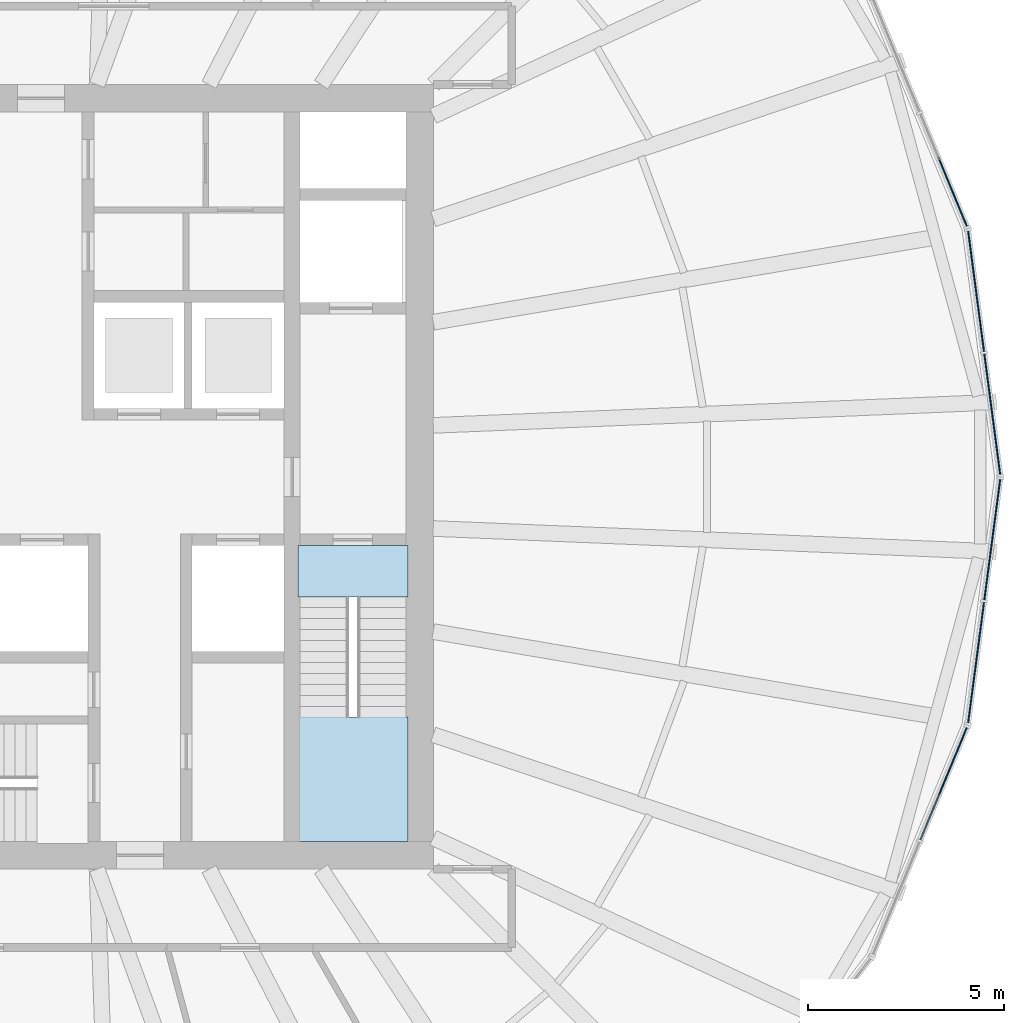
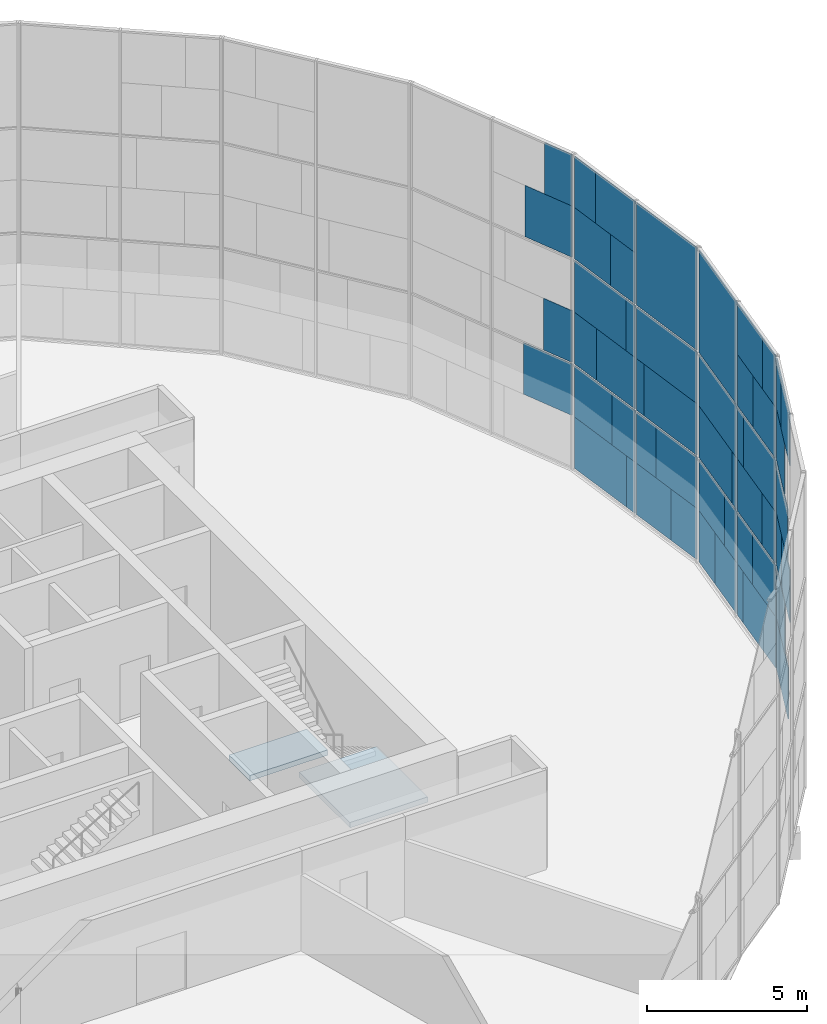
# One storey, part 14 of 22: 52 plates, 2 slabs, 5 elements without a shape of their own.
"""IFC4 building model written with IfcOpenShell, lengths in metres."""

from ifc_helpers import new_model, si_unit, direction, frame, origin, origin_2d, place, context, subcontext, project, spatial, polyline, rectangle, outline, extrude, material, layer, layer_set, type_object, element, aggregate, save


model = new_model("IFC4")

# Units and contexts
model_context = context("Model", 3, precision=1e-05, world=origin(), true_north=direction((0.0, 1.0)))
body_context = subcontext(model_context, "Body", "Model", "MODEL_VIEW")
ifc_project = project(units=[si_unit("LENGTHUNIT", "METRE"), si_unit("AREAUNIT", "SQUARE_METRE"), si_unit("VOLUMEUNIT", "CUBIC_METRE"), si_unit("PLANEANGLEUNIT", "RADIAN"), si_unit("MASSUNIT", "GRAM", prefix="KILO")], contexts=[model_context])

# Site, building, storey
site_placement = place(None, origin())
site = spatial("IfcSite", under=ifc_project, at=site_placement, CompositionType="ELEMENT")
building_placement = place(site_placement, origin())
building = spatial("IfcBuilding", under=site, at=building_placement, Name="Golbaran Civic Tower", CompositionType="ELEMENT")
storey_placement = place(building_placement, frame((0.0, 0.0, 90.0)))
storey = spatial("IfcBuildingStorey", under=building, at=storey_placement, Name="L21", CompositionType="ELEMENT", Elevation=90.0)

# Curtain wall, plates
ifc_material_1 = material(Name="Aluminium and glass", Category="aluminium")
curtain_wall_type = type_object("IfcCurtainWallType", Name="INNER SKIN CURTAIN WALL", PredefinedType="NOTDEFINED", material=ifc_material_1)
curtain_wall_1_placement = place(storey_placement, origin())
curtain_wall_1 = element("IfcCurtainWall", 1, at=curtain_wall_1_placement, inside=storey, type_object=curtain_wall_type, Name="Inner skin L21 facet 1 CW1", ObjectType="INNER SKIN", PredefinedType="USERDEFINED")
ifc_material_2 = material(Name="Clear insulating glass", Category="glass")
ifc_layer_1 = layer(ifc_material_2, 0.031982421875, Name="Clear insulating glass")
ifc_layer_set_1 = layer_set([ifc_layer_1], Name="Clear insulating glass")
plate_type_1 = type_object("IfcPlateType", Name="INNER SKIN CURTAIN WALL GLAZED PANEL", PredefinedType="CURTAIN_PANEL", material=ifc_layer_set_1)
plate_1_placement = place(storey_placement, frame((24.365966796875, 0.7216796875, 0.06494140625), z_axis=(0.0, 0.0, 1.0), x_axis=(-0.130526192203, 0.991444861376, 0.0)))
plate_1 = element("IfcPlate", 2, at=plate_1_placement, type_object=plate_type_1, Name="CW1 panel 1.1 part 1", PredefinedType="CURTAIN_PANEL", context=body_context, shape_type="SweptSolid", body=[
    extrude(rectangle(XDim=1.325927734375, YDim=0.031982421875, at=origin_2d()), origin(), (0.0, 0.0, 1.0), 1.951171875),
])
plate_2_placement = place(storey_placement, frame((24.31640625, 1.097412109375, 2.016357421875), z_axis=(0.0, 0.0, 1.0), x_axis=(-0.130526192203, 0.991444861376, 0.0)))
plate_2 = element("IfcPlate", 3, at=plate_2_placement, type_object=plate_type_1, Name="CW1 panel 1.1 part 3", PredefinedType="CURTAIN_PANEL", context=body_context, shape_type="SweptSolid", body=[
    extrude(rectangle(XDim=2.083984375, YDim=0.031982421875, at=origin_2d()), origin(), (0.0, 0.0, 1.0), 1.951171875),
])
plate_3_placement = place(storey_placement, frame((24.276611328125, 1.39990234375, 4.03271484375), z_axis=(0.0, 0.0, 1.0), x_axis=(-0.130526192203, 0.991444861376, 0.0)))
plate_3 = element("IfcPlate", 4, at=plate_3_placement, type_object=plate_type_1, Name="CW1 panel 1.2 part 1", PredefinedType="CURTAIN_PANEL", context=body_context, shape_type="SweptSolid", body=[
    extrude(rectangle(XDim=2.694091796875, YDim=0.031982421875, at=origin_2d()), origin(), (0.0, 0.0, 1.0), 1.967529296875),
])
plate_4_placement = place(storey_placement, frame((24.25048828125, 1.598876953125, 6.0), z_axis=(0.0, 0.0, 1.0), x_axis=(-0.130526192203, 0.991444861376, 0.0)))
plate_4 = element("IfcPlate", 5, at=plate_4_placement, type_object=plate_type_1, Name="CW1 panel 1.2 part 3", PredefinedType="CURTAIN_PANEL", context=body_context, shape_type="SweptSolid", body=[
    extrude(rectangle(XDim=3.09521484375, YDim=0.031982421875, at=origin_2d()), origin(), (0.0, 0.0, 1.0), 1.967529296875),
])
plate_5_placement = place(storey_placement, frame((24.25048828125, 1.598876953125, 8.0322265625), z_axis=(0.0, 0.0, 1.0), x_axis=(-0.130526192203, 0.991444861376, 0.0)))
plate_5 = element("IfcPlate", 6, at=plate_5_placement, type_object=plate_type_1, Name="CW1 panel 1.3", PredefinedType="CURTAIN_PANEL", context=body_context, shape_type="SweptSolid", body=[
    extrude(rectangle(XDim=3.09521484375, YDim=0.031982421875, at=origin_2d()), origin(), (0.0, 0.0, 1.0), 3.902587890625),
])
plate_6_placement = place(storey_placement, frame((23.809814453125, 4.9462890625, 0.06494140625), z_axis=(0.0, 0.0, 1.0), x_axis=(-0.130526192203, 0.991444861376, 0.0)))
plate_6 = element("IfcPlate", 7, at=plate_6_placement, type_object=plate_type_1, Name="CW1 panel 2.1 part 2", PredefinedType="CURTAIN_PANEL", context=body_context, shape_type="SweptSolid", body=[
    extrude(rectangle(XDim=2.663330078125, YDim=0.031982421875, at=origin_2d()), origin(), (0.0, 0.0, 1.0), 1.951171875),
])
plate_7_placement = place(storey_placement, frame((23.76025390625, 5.322021484375, 2.016357421875), z_axis=(0.0, 0.0, 1.0), x_axis=(-0.130526192203, 0.991444861376, 0.0)))
plate_7 = element("IfcPlate", 8, at=plate_7_placement, type_object=plate_type_1, Name="CW1 panel 2.1 part 4", PredefinedType="CURTAIN_PANEL", context=body_context, shape_type="SweptSolid", body=[
    extrude(rectangle(XDim=1.9052734375, YDim=0.031982421875, at=origin_2d()), origin(), (0.0, 0.0, 1.0), 1.951171875),
])
plate_8_placement = place(storey_placement, frame((23.708740234375, 5.713623046875, 4.03271484375), z_axis=(0.0, 0.0, 1.0), x_axis=(-0.130526192203, 0.991444861376, 0.0)))
plate_8 = element("IfcPlate", 9, at=plate_8_placement, type_object=plate_type_1, Name="CW1 panel 2.2 part 2", PredefinedType="CURTAIN_PANEL", context=body_context, shape_type="SweptSolid", body=[
    extrude(rectangle(XDim=1.115234375, YDim=0.031982421875, at=origin_2d()), origin(), (0.0, 0.0, 1.0), 1.967529296875),
])
plate_9_placement = place(storey_placement, frame((24.00927734375, 3.43115234375, 6.0), z_axis=(0.0, 0.0, 1.0), x_axis=(-0.130526192203, 0.991444861376, 0.0)))
plate_9 = element("IfcPlate", 10, at=plate_9_placement, type_object=plate_type_1, Name="CW1 panel 2.2 part 3", PredefinedType="CURTAIN_PANEL", context=body_context, shape_type="SweptSolid", body=[
    extrude(rectangle(XDim=0.470947265625, YDim=0.031982421875, at=origin_2d()), origin(), (0.0, 0.0, 1.0), 1.967529296875),
])
plate_10_placement = place(storey_placement, frame((23.957763671875, 3.82275390625, 8.032470703125), z_axis=(0.0, 0.0, 1.0), x_axis=(-0.130526192203, 0.991444861376, 0.0)))
plate_10 = element("IfcPlate", 11, at=plate_10_placement, type_object=plate_type_1, Name="CW1 panel 2.3 part 1", PredefinedType="CURTAIN_PANEL", context=body_context, shape_type="SweptSolid", body=[
    extrude(rectangle(XDim=1.260986328125, YDim=0.031982421875, at=origin_2d()), origin(), (0.0, 0.0, 1.0), 1.951171875),
])
plate_11_placement = place(storey_placement, frame((23.908203125, 4.198974609375, 9.98388671875), z_axis=(0.0, 0.0, 1.0), x_axis=(-0.130526192203, 0.991444861376, 0.0)))
plate_11 = element("IfcPlate", 12, at=plate_11_placement, type_object=plate_type_1, Name="CW1 panel 2.3 part 3", PredefinedType="CURTAIN_PANEL", context=body_context, shape_type="SweptSolid", body=[
    extrude(rectangle(XDim=2.02001953125, YDim=0.031982421875, at=origin_2d()), origin(), (0.0, 0.0, 1.0), 1.951171875),
])

curtain_wall_2_placement = place(storey_placement, origin())
curtain_wall_2 = element("IfcCurtainWall", 13, at=curtain_wall_2_placement, inside=storey, type_object=curtain_wall_type, Name="Inner skin L21 facet 2 CW1", ObjectType="INNER SKIN", PredefinedType="USERDEFINED")
plate_12_placement = place(storey_placement, frame((23.238037109375, 7.27099609375, 2.016357421875), z_axis=(0.0, 0.0, 1.0), x_axis=(-0.382683432365, 0.923879532511, 0.0)))
plate_12 = element("IfcPlate", 14, at=plate_12_placement, type_object=plate_type_1, Name="CW1 panel 1.1 part 3", PredefinedType="CURTAIN_PANEL", context=body_context, shape_type="SweptSolid", body=[
    extrude(rectangle(XDim=1.905029296875, YDim=0.031982421875, at=origin_2d()), origin(), (0.0, 0.0, 1.0), 1.951171875),
])
plate_13_placement = place(storey_placement, frame((23.38916015625, 6.906494140625, 4.03271484375), z_axis=(0.0, 0.0, 1.0), x_axis=(-0.382683432365, 0.923879532511, 0.0)))
plate_13 = element("IfcPlate", 15, at=plate_13_placement, type_object=plate_type_1, Name="CW1 panel 1.2 part 1", PredefinedType="CURTAIN_PANEL", context=body_context, shape_type="SweptSolid", body=[
    extrude(rectangle(XDim=1.115966796875, YDim=0.031982421875, at=origin_2d()), origin(), (0.0, 0.0, 1.0), 1.967529296875),
])

curtain_wall_3_placement = place(storey_placement, origin())
curtain_wall_3 = element("IfcCurtainWall", 16, at=curtain_wall_3_placement, inside=storey, type_object=curtain_wall_type, Name="Inner skin L21 facet 23 CW1", ObjectType="INNER SKIN", PredefinedType="USERDEFINED")
plate_14_placement = place(storey_placement, frame((23.093017578125, -7.621337890625, 0.06494140625), z_axis=(0.0, 0.0, 1.0), x_axis=(0.382683432365, 0.923879532511, 0.0)))
plate_14 = element("IfcPlate", 17, at=plate_14_placement, type_object=plate_type_1, Name="CW1 panel 2.1 part 2", PredefinedType="CURTAIN_PANEL", context=body_context, shape_type="SweptSolid", body=[
    extrude(rectangle(XDim=2.663330078125, YDim=0.031982421875, at=origin_2d()), origin(), (0.0, 0.0, 1.0), 1.951171875),
])
plate_15_placement = place(storey_placement, frame((23.238037109375, -7.271240234375, 2.016357421875), z_axis=(0.0, 0.0, 1.0), x_axis=(0.382683432365, 0.923879532511, 0.0)))
plate_15 = element("IfcPlate", 18, at=plate_15_placement, type_object=plate_type_1, Name="CW1 panel 2.1 part 4", PredefinedType="CURTAIN_PANEL", context=body_context, shape_type="SweptSolid", body=[
    extrude(rectangle(XDim=1.9052734375, YDim=0.031982421875, at=origin_2d()), origin(), (0.0, 0.0, 1.0), 1.951171875),
])
plate_16_placement = place(storey_placement, frame((23.38916015625, -6.90625, 4.03271484375), z_axis=(0.0, 0.0, 1.0), x_axis=(0.382683432365, 0.923879532511, 0.0)))
plate_16 = element("IfcPlate", 19, at=plate_16_placement, type_object=plate_type_1, Name="CW1 panel 2.2 part 2", PredefinedType="CURTAIN_PANEL", context=body_context, shape_type="SweptSolid", body=[
    extrude(rectangle(XDim=1.115234375, YDim=0.031982421875, at=origin_2d()), origin(), (0.0, 0.0, 1.0), 1.967529296875),
])
plate_17_placement = place(storey_placement, frame((22.8046875, -8.317626953125, 9.98388671875), z_axis=(0.0, 0.0, 1.0), x_axis=(0.382683432365, 0.923879532511, 0.0)))
plate_17 = element("IfcPlate", 20, at=plate_17_placement, type_object=plate_type_1, Name="CW1 panel 2.3 part 3", PredefinedType="CURTAIN_PANEL", context=body_context, shape_type="SweptSolid", body=[
    extrude(rectangle(XDim=2.02001953125, YDim=0.031982421875, at=origin_2d()), origin(), (0.0, 0.0, 1.0), 1.951171875),
])

curtain_wall_4_placement = place(storey_placement, origin())
curtain_wall_4 = element("IfcCurtainWall", 21, at=curtain_wall_4_placement, inside=storey, type_object=curtain_wall_type, Name="Inner skin L21 facet 24 CW1", ObjectType="INNER SKIN", PredefinedType="USERDEFINED")
plate_18_placement = place(storey_placement, frame((23.809814453125, -4.946533203125, 0.06494140625), z_axis=(0.0, 0.0, 1.0), x_axis=(0.130526192203, 0.991444861376, 0.0)))
plate_18 = element("IfcPlate", 22, at=plate_18_placement, type_object=plate_type_1, Name="CW1 panel 1.1 part 1", PredefinedType="CURTAIN_PANEL", context=body_context, shape_type="SweptSolid", body=[
    extrude(rectangle(XDim=2.6630859375, YDim=0.031982421875, at=origin_2d()), origin(), (0.0, 0.0, 1.0), 1.951171875),
])
plate_19_placement = place(storey_placement, frame((23.76025390625, -5.322265625, 2.016357421875), z_axis=(0.0, 0.0, 1.0), x_axis=(0.130526192203, 0.991444861376, 0.0)))
plate_19 = element("IfcPlate", 23, at=plate_19_placement, type_object=plate_type_1, Name="CW1 panel 1.1 part 3", PredefinedType="CURTAIN_PANEL", context=body_context, shape_type="SweptSolid", body=[
    extrude(rectangle(XDim=1.905029296875, YDim=0.031982421875, at=origin_2d()), origin(), (0.0, 0.0, 1.0), 1.951171875),
])
plate_20_placement = place(storey_placement, frame((23.708740234375, -5.71337890625, 4.03271484375), z_axis=(0.0, 0.0, 1.0), x_axis=(0.130526192203, 0.991444861376, 0.0)))
plate_20 = element("IfcPlate", 24, at=plate_20_placement, type_object=plate_type_1, Name="CW1 panel 1.2 part 1", PredefinedType="CURTAIN_PANEL", context=body_context, shape_type="SweptSolid", body=[
    extrude(rectangle(XDim=1.115966796875, YDim=0.031982421875, at=origin_2d()), origin(), (0.0, 0.0, 1.0), 1.967529296875),
])
plate_21_placement = place(storey_placement, frame((24.00927734375, -3.431396484375, 6.0), z_axis=(0.0, 0.0, 1.0), x_axis=(0.130526192203, 0.991444861376, 0.0)))
plate_21 = element("IfcPlate", 25, at=plate_21_placement, type_object=plate_type_1, Name="CW1 panel 1.2 part 4", PredefinedType="CURTAIN_PANEL", context=body_context, shape_type="SweptSolid", body=[
    extrude(rectangle(XDim=0.47119140625, YDim=0.031982421875, at=origin_2d()), origin(), (0.0, 0.0, 1.0), 1.967529296875),
])
plate_22_placement = place(storey_placement, frame((23.957763671875, -3.822998046875, 8.032470703125), z_axis=(0.0, 0.0, 1.0), x_axis=(0.130526192203, 0.991444861376, 0.0)))
plate_22 = element("IfcPlate", 26, at=plate_22_placement, type_object=plate_type_1, Name="CW1 panel 1.3 part 2", PredefinedType="CURTAIN_PANEL", context=body_context, shape_type="SweptSolid", body=[
    extrude(rectangle(XDim=1.26123046875, YDim=0.031982421875, at=origin_2d()), origin(), (0.0, 0.0, 1.0), 1.951171875),
])
plate_23_placement = place(storey_placement, frame((23.908203125, -4.19873046875, 9.98388671875), z_axis=(0.0, 0.0, 1.0), x_axis=(0.130526192203, 0.991444861376, 0.0)))
plate_23 = element("IfcPlate", 27, at=plate_23_placement, type_object=plate_type_1, Name="CW1 panel 1.3 part 4", PredefinedType="CURTAIN_PANEL", context=body_context, shape_type="SweptSolid", body=[
    extrude(rectangle(XDim=2.019287109375, YDim=0.031982421875, at=origin_2d()), origin(), (0.0, 0.0, 1.0), 1.951171875),
])
plate_24_placement = place(storey_placement, frame((24.365966796875, -0.721923828125, 0.06494140625), z_axis=(0.0, 0.0, 1.0), x_axis=(0.130526192203, 0.991444861376, 0.0)))
plate_24 = element("IfcPlate", 28, at=plate_24_placement, type_object=plate_type_1, Name="CW1 panel 2.1 part 2", PredefinedType="CURTAIN_PANEL", context=body_context, shape_type="SweptSolid", body=[
    extrude(rectangle(XDim=1.326416015625, YDim=0.031982421875, at=origin_2d()), origin(), (0.0, 0.0, 1.0), 1.951171875),
])
plate_25_placement = place(storey_placement, frame((24.31640625, -1.09765625, 2.016357421875), z_axis=(0.0, 0.0, 1.0), x_axis=(0.130526192203, 0.991444861376, 0.0)))
plate_25 = element("IfcPlate", 29, at=plate_25_placement, type_object=plate_type_1, Name="CW1 panel 2.1 part 4", PredefinedType="CURTAIN_PANEL", context=body_context, shape_type="SweptSolid", body=[
    extrude(rectangle(XDim=2.084228515625, YDim=0.031982421875, at=origin_2d()), origin(), (0.0, 0.0, 1.0), 1.951171875),
])
plate_26_placement = place(storey_placement, frame((24.276611328125, -1.400634765625, 4.03271484375), z_axis=(0.0, 0.0, 1.0), x_axis=(0.130526192203, 0.991444861376, 0.0)))
plate_26 = element("IfcPlate", 30, at=plate_26_placement, type_object=plate_type_1, Name="CW1 panel 2.2 part 2", PredefinedType="CURTAIN_PANEL", context=body_context, shape_type="SweptSolid", body=[
    extrude(rectangle(XDim=2.6953125, YDim=0.031982421875, at=origin_2d()), origin(), (0.0, 0.0, 1.0), 1.967529296875),
])
plate_27_placement = place(storey_placement, frame((24.25048828125, -1.598876953125, 6.0), z_axis=(0.0, 0.0, 1.0), x_axis=(0.130526192203, 0.991444861376, 0.0)))
plate_27 = element("IfcPlate", 31, at=plate_27_placement, type_object=plate_type_1, Name="CW1 panel 2.2 part 3", PredefinedType="CURTAIN_PANEL", context=body_context, shape_type="SweptSolid", body=[
    extrude(rectangle(XDim=3.09521484375, YDim=0.031982421875, at=origin_2d()), origin(), (0.0, 0.0, 1.0), 1.967529296875),
])
plate_28_placement = place(storey_placement, frame((24.25048828125, -1.598876953125, 8.0322265625), z_axis=(0.0, 0.0, 1.0), x_axis=(0.130526192203, 0.991444861376, 0.0)))
plate_28 = element("IfcPlate", 32, at=plate_28_placement, type_object=plate_type_1, Name="CW1 panel 2.3", PredefinedType="CURTAIN_PANEL", context=body_context, shape_type="SweptSolid", body=[
    extrude(rectangle(XDim=3.09521484375, YDim=0.031982421875, at=origin_2d()), origin(), (0.0, 0.0, 1.0), 3.902587890625),
])

# Plate
ifc_material_3 = material(Name="Aluminium faced opaque infill panel", Category="aluminium")
ifc_layer_2 = layer(ifc_material_3, 0.031982421875, Name="Aluminium faced opaque infill panel")
ifc_layer_set_2 = layer_set([ifc_layer_2], Name="Aluminium faced opaque infill panel")
plate_type_2 = type_object("IfcPlateType", Name="INNER SKIN CURTAIN WALL OPAQUE INFILL PANEL", PredefinedType="CURTAIN_PANEL", material=ifc_layer_set_2)
plate_29_placement = place(storey_placement, frame((24.1640625, 2.256103515625, 0.06494140625), z_axis=(0.0, 0.0, 1.0), x_axis=(-0.130526192203, 0.991444861376, 0.0)))
plate_29 = element("IfcPlate", 33, at=plate_29_placement, type_object=plate_type_2, Name="CW1 infill panel 1.1 part 2", PredefinedType="CURTAIN_PANEL", context=body_context, shape_type="SweptSolid", body=[
    extrude(rectangle(XDim=1.769287109375, YDim=0.031982421875, at=origin_2d()), origin(), (0.0, 0.0, 1.0), 1.951171875),
])

plate_30_placement = place(storey_placement, frame((24.114501953125, 2.6318359375, 2.016357421875), z_axis=(0.0, 0.0, 1.0), x_axis=(-0.130526192203, 0.991444861376, 0.0)))
plate_30 = element("IfcPlate", 34, at=plate_30_placement, type_object=plate_type_2, Name="CW1 infill panel 1.1 part 4", PredefinedType="CURTAIN_PANEL", context=body_context, shape_type="SweptSolid", body=[
    extrude(rectangle(XDim=1.01123046875, YDim=0.031982421875, at=origin_2d()), origin(), (0.0, 0.0, 1.0), 1.951171875),
])

plate_31_placement = place(storey_placement, frame((24.07470703125, 2.934326171875, 4.03271484375), z_axis=(0.0, 0.0, 1.0), x_axis=(-0.130526192203, 0.991444861376, 0.0)))
plate_31 = element("IfcPlate", 35, at=plate_31_placement, type_object=plate_type_2, Name="CW1 infill panel 1.2 part 2", PredefinedType="CURTAIN_PANEL", context=body_context, shape_type="SweptSolid", body=[
    extrude(rectangle(XDim=0.4013671875, YDim=0.031982421875, at=origin_2d()), origin(), (0.0, 0.0, 1.0), 1.967529296875),
])

plate_32_placement = place(storey_placement, frame((24.01171875, 3.411865234375, 0.06494140625), z_axis=(0.0, 0.0, 1.0), x_axis=(-0.130526192203, 0.991444861376, 0.0)))
plate_32 = element("IfcPlate", 36, at=plate_32_placement, type_object=plate_type_2, Name="CW1 infill panel 2.1 part 1", PredefinedType="CURTAIN_PANEL", context=body_context, shape_type="SweptSolid", body=[
    extrude(rectangle(XDim=0.431884765625, YDim=0.031982421875, at=origin_2d()), origin(), (0.0, 0.0, 1.0), 1.951171875),
])

plate_33_placement = place(storey_placement, frame((23.96240234375, 3.78759765625, 2.016357421875), z_axis=(0.0, 0.0, 1.0), x_axis=(-0.130526192203, 0.991444861376, 0.0)))
plate_33 = element("IfcPlate", 37, at=plate_33_placement, type_object=plate_type_2, Name="CW1 infill panel 2.1 part 3", PredefinedType="CURTAIN_PANEL", context=body_context, shape_type="SweptSolid", body=[
    extrude(rectangle(XDim=1.18994140625, YDim=0.031982421875, at=origin_2d()), origin(), (0.0, 0.0, 1.0), 1.951171875),
])

plate_34_placement = place(storey_placement, frame((23.910888671875, 4.17919921875, 4.03271484375), z_axis=(0.0, 0.0, 1.0), x_axis=(-0.130526192203, 0.991444861376, 0.0)))
plate_34 = element("IfcPlate", 38, at=plate_34_placement, type_object=plate_type_2, Name="CW1 infill panel 2.2 part 1", PredefinedType="CURTAIN_PANEL", context=body_context, shape_type="SweptSolid", body=[
    extrude(rectangle(XDim=1.97998046875, YDim=0.031982421875, at=origin_2d()), origin(), (0.0, 0.0, 1.0), 1.967529296875),
])

plate_35_placement = place(storey_placement, frame((23.807373046875, 4.965576171875, 6.0), z_axis=(0.0, 0.0, 1.0), x_axis=(-0.130526192203, 0.991444861376, 0.0)))
plate_35 = element("IfcPlate", 39, at=plate_35_placement, type_object=plate_type_2, Name="CW1 infill panel 2.2 part 4", PredefinedType="CURTAIN_PANEL", context=body_context, shape_type="SweptSolid", body=[
    extrude(rectangle(XDim=2.624267578125, YDim=0.031982421875, at=origin_2d()), origin(), (0.0, 0.0, 1.0), 1.967529296875),
])

plate_36_placement = place(storey_placement, frame((23.755615234375, 5.357177734375, 8.032470703125), z_axis=(0.0, 0.0, 1.0), x_axis=(-0.130526192203, 0.991444861376, 0.0)))
plate_36 = element("IfcPlate", 40, at=plate_36_placement, type_object=plate_type_2, Name="CW1 infill panel 2.3 part 2", PredefinedType="CURTAIN_PANEL", context=body_context, shape_type="SweptSolid", body=[
    extrude(rectangle(XDim=1.834228515625, YDim=0.031982421875, at=origin_2d()), origin(), (0.0, 0.0, 1.0), 1.951171875),
])

plate_37_placement = place(storey_placement, frame((23.7060546875, 5.7333984375, 9.98388671875), z_axis=(0.0, 0.0, 1.0), x_axis=(-0.130526192203, 0.991444861376, 0.0)))
plate_37 = element("IfcPlate", 41, at=plate_37_placement, type_object=plate_type_2, Name="CW1 infill panel 2.3 part 4", PredefinedType="CURTAIN_PANEL", context=body_context, shape_type="SweptSolid", body=[
    extrude(rectangle(XDim=1.0751953125, YDim=0.031982421875, at=origin_2d()), origin(), (0.0, 0.0, 1.0), 1.951171875),
])

aggregate(curtain_wall_1, [plate_1, plate_29, plate_2, plate_30, plate_3, plate_31, plate_4, plate_5, plate_32, plate_6, plate_33, plate_7, plate_34, plate_8, plate_9, plate_35, plate_10, plate_36, plate_11, plate_37])

plate_38_placement = place(storey_placement, frame((23.251708984375, 7.23828125, 8.032470703125), z_axis=(0.0, 0.0, 1.0), x_axis=(-0.382683432365, 0.923879532511, 0.0)))
plate_38 = element("IfcPlate", 42, at=plate_38_placement, type_object=plate_type_2, Name="CW1 infill panel 1.3 part 1", PredefinedType="CURTAIN_PANEL", context=body_context, shape_type="SweptSolid", body=[
    extrude(rectangle(XDim=1.833984375, YDim=0.031982421875, at=origin_2d()), origin(), (0.0, 0.0, 1.0), 1.951171875),
])

plate_39_placement = place(storey_placement, frame((23.396728515625, 6.88818359375, 9.98388671875), z_axis=(0.0, 0.0, 1.0), x_axis=(-0.382683432365, 0.923879532511, 0.0)))
plate_39 = element("IfcPlate", 43, at=plate_39_placement, type_object=plate_type_2, Name="CW1 infill panel 1.3 part 3", PredefinedType="CURTAIN_PANEL", context=body_context, shape_type="SweptSolid", body=[
    extrude(rectangle(XDim=1.075927734375, YDim=0.031982421875, at=origin_2d()), origin(), (0.0, 0.0, 1.0), 1.951171875),
])

aggregate(curtain_wall_2, [plate_12, plate_13, plate_38, plate_39])

plate_40_placement = place(storey_placement, frame((22.796875, -8.336181640625, 4.03271484375), z_axis=(0.0, 0.0, 1.0), x_axis=(0.382683432365, 0.923879532511, 0.0)))
plate_40 = element("IfcPlate", 44, at=plate_40_placement, type_object=plate_type_2, Name="CW1 infill panel 2.2 part 1", PredefinedType="CURTAIN_PANEL", context=body_context, shape_type="SweptSolid", body=[
    extrude(rectangle(XDim=1.97998046875, YDim=0.031982421875, at=origin_2d()), origin(), (0.0, 0.0, 1.0), 1.967529296875),
])

plate_41_placement = place(storey_placement, frame((23.1005859375, -7.603271484375, 6.0), z_axis=(0.0, 0.0, 1.0), x_axis=(0.382683432365, 0.923879532511, 0.0)))
plate_41 = element("IfcPlate", 45, at=plate_41_placement, type_object=plate_type_2, Name="CW1 infill panel 2.2 part 4", PredefinedType="CURTAIN_PANEL", context=body_context, shape_type="SweptSolid", body=[
    extrude(rectangle(XDim=2.624267578125, YDim=0.031982421875, at=origin_2d()), origin(), (0.0, 0.0, 1.0), 1.967529296875),
])

plate_42_placement = place(storey_placement, frame((23.251708984375, -7.23828125, 8.032470703125), z_axis=(0.0, 0.0, 1.0), x_axis=(0.382683432365, 0.923879532511, 0.0)))
plate_42 = element("IfcPlate", 46, at=plate_42_placement, type_object=plate_type_2, Name="CW1 infill panel 2.3 part 2", PredefinedType="CURTAIN_PANEL", context=body_context, shape_type="SweptSolid", body=[
    extrude(rectangle(XDim=1.834228515625, YDim=0.031982421875, at=origin_2d()), origin(), (0.0, 0.0, 1.0), 1.951171875),
])

plate_43_placement = place(storey_placement, frame((23.39697265625, -6.8876953125, 9.98388671875), z_axis=(0.0, 0.0, 1.0), x_axis=(0.382683432365, 0.923879532511, 0.0)))
plate_43 = element("IfcPlate", 47, at=plate_43_placement, type_object=plate_type_2, Name="CW1 infill panel 2.3 part 4", PredefinedType="CURTAIN_PANEL", context=body_context, shape_type="SweptSolid", body=[
    extrude(rectangle(XDim=1.0751953125, YDim=0.031982421875, at=origin_2d()), origin(), (0.0, 0.0, 1.0), 1.951171875),
])

aggregate(curtain_wall_3, [plate_14, plate_15, plate_40, plate_16, plate_41, plate_42, plate_17, plate_43])

plate_44_placement = place(storey_placement, frame((24.01171875, -3.412109375, 0.06494140625), z_axis=(0.0, 0.0, 1.0), x_axis=(0.130526192203, 0.991444861376, 0.0)))
plate_44 = element("IfcPlate", 48, at=plate_44_placement, type_object=plate_type_2, Name="CW1 infill panel 1.1 part 2", PredefinedType="CURTAIN_PANEL", context=body_context, shape_type="SweptSolid", body=[
    extrude(rectangle(XDim=0.432373046875, YDim=0.031982421875, at=origin_2d()), origin(), (0.0, 0.0, 1.0), 1.951171875),
])

plate_45_placement = place(storey_placement, frame((23.96240234375, -3.787841796875, 2.016357421875), z_axis=(0.0, 0.0, 1.0), x_axis=(0.130526192203, 0.991444861376, 0.0)))
plate_45 = element("IfcPlate", 49, at=plate_45_placement, type_object=plate_type_2, Name="CW1 infill panel 1.1 part 4", PredefinedType="CURTAIN_PANEL", context=body_context, shape_type="SweptSolid", body=[
    extrude(rectangle(XDim=1.190185546875, YDim=0.031982421875, at=origin_2d()), origin(), (0.0, 0.0, 1.0), 1.951171875),
])

plate_46_placement = place(storey_placement, frame((23.910888671875, -4.178955078125, 4.03271484375), z_axis=(0.0, 0.0, 1.0), x_axis=(0.130526192203, 0.991444861376, 0.0)))
plate_46 = element("IfcPlate", 50, at=plate_46_placement, type_object=plate_type_2, Name="CW1 infill panel 1.2 part 2", PredefinedType="CURTAIN_PANEL", context=body_context, shape_type="SweptSolid", body=[
    extrude(rectangle(XDim=1.979248046875, YDim=0.031982421875, at=origin_2d()), origin(), (0.0, 0.0, 1.0), 1.967529296875),
])

plate_47_placement = place(storey_placement, frame((23.80712890625, -4.9658203125, 6.0), z_axis=(0.0, 0.0, 1.0), x_axis=(0.130526192203, 0.991444861376, 0.0)))
plate_47 = element("IfcPlate", 51, at=plate_47_placement, type_object=plate_type_2, Name="CW1 infill panel 1.2 part 3", PredefinedType="CURTAIN_PANEL", context=body_context, shape_type="SweptSolid", body=[
    extrude(rectangle(XDim=2.6240234375, YDim=0.031982421875, at=origin_2d()), origin(), (0.0, 0.0, 1.0), 1.967529296875),
])

plate_48_placement = place(storey_placement, frame((23.755615234375, -5.357421875, 8.032470703125), z_axis=(0.0, 0.0, 1.0), x_axis=(0.130526192203, 0.991444861376, 0.0)))
plate_48 = element("IfcPlate", 52, at=plate_48_placement, type_object=plate_type_2, Name="CW1 infill panel 1.3 part 1", PredefinedType="CURTAIN_PANEL", context=body_context, shape_type="SweptSolid", body=[
    extrude(rectangle(XDim=1.833984375, YDim=0.031982421875, at=origin_2d()), origin(), (0.0, 0.0, 1.0), 1.951171875),
])

plate_49_placement = place(storey_placement, frame((23.706298828125, -5.733154296875, 9.98388671875), z_axis=(0.0, 0.0, 1.0), x_axis=(0.130526192203, 0.991444861376, 0.0)))
plate_49 = element("IfcPlate", 53, at=plate_49_placement, type_object=plate_type_2, Name="CW1 infill panel 1.3 part 3", PredefinedType="CURTAIN_PANEL", context=body_context, shape_type="SweptSolid", body=[
    extrude(rectangle(XDim=1.075927734375, YDim=0.031982421875, at=origin_2d()), origin(), (0.0, 0.0, 1.0), 1.951171875),
])

plate_50_placement = place(storey_placement, frame((24.1640625, -2.25634765625, 0.06494140625), z_axis=(0.0, 0.0, 1.0), x_axis=(0.130526192203, 0.991444861376, 0.0)))
plate_50 = element("IfcPlate", 54, at=plate_50_placement, type_object=plate_type_2, Name="CW1 infill panel 2.1 part 1", PredefinedType="CURTAIN_PANEL", context=body_context, shape_type="SweptSolid", body=[
    extrude(rectangle(XDim=1.76904296875, YDim=0.031982421875, at=origin_2d()), origin(), (0.0, 0.0, 1.0), 1.951171875),
])

plate_51_placement = place(storey_placement, frame((24.114501953125, -2.632080078125, 2.016357421875), z_axis=(0.0, 0.0, 1.0), x_axis=(0.130526192203, 0.991444861376, 0.0)))
plate_51 = element("IfcPlate", 55, at=plate_51_placement, type_object=plate_type_2, Name="CW1 infill panel 2.1 part 3", PredefinedType="CURTAIN_PANEL", context=body_context, shape_type="SweptSolid", body=[
    extrude(rectangle(XDim=1.010986328125, YDim=0.031982421875, at=origin_2d()), origin(), (0.0, 0.0, 1.0), 1.951171875),
])

plate_52_placement = place(storey_placement, frame((24.07470703125, -2.93505859375, 4.03271484375), z_axis=(0.0, 0.0, 1.0), x_axis=(0.130526192203, 0.991444861376, 0.0)))
plate_52 = element("IfcPlate", 56, at=plate_52_placement, type_object=plate_type_2, Name="CW1 infill panel 2.2 part 1", PredefinedType="CURTAIN_PANEL", context=body_context, shape_type="SweptSolid", body=[
    extrude(rectangle(XDim=0.39990234375, YDim=0.031982421875, at=origin_2d()), origin(), (0.0, 0.0, 1.0), 1.967529296875),
])

aggregate(curtain_wall_4, [plate_18, plate_44, plate_19, plate_45, plate_20, plate_46, plate_47, plate_21, plate_48, plate_22, plate_49, plate_23, plate_50, plate_24, plate_51, plate_25, plate_52, plate_26, plate_27, plate_28])

# Stair, slab
ifc_material_4 = material(Name="Concrete C35/45", Category="concrete")
stair_type = type_object("IfcStairType", Name="EXIT STAIR 2700 x 7550, 4000 RISE", PredefinedType="HALF_TURN_STAIR", material=ifc_material_4)
stair_placement = place(storey_placement, origin())
stair = element("IfcStair", 57, at=stair_placement, inside=storey, type_object=stair_type, Name="Stair S2 L21", PredefinedType="HALF_TURN_STAIR")
ifc_layer_3 = layer(ifc_material_4, 0.199951171875, Name="Concrete C35/45")
ifc_layer_set_3 = layer_set([ifc_layer_3], Name="Concrete C35/45")
slab_type = type_object("IfcSlabType", Name="STAIR LANDING 200", PredefinedType="LANDING", material=ifc_layer_set_3)
slab_1_placement = place(storey_placement, frame((0.0, 0.0, 1.800048828125)))
slab_1 = element("IfcSlab", 58, at=slab_1_placement, type_object=slab_type, Name="ST27076-40 landing 1", PredefinedType="LANDING", context=body_context, shape_type="SweptSolid", body=[
    extrude(outline(polyline([(9.35009765625, -6.125), (9.35009765625, -9.300048828125), (6.550048828125, -9.300048828125), (6.550048828125, -6.125), (9.35009765625, -6.125)])), origin(), (0.0, 0.0, 1.0), 0.199951171875),
])
aggregate(stair, [slab_1])

# Slab
slab_2_placement = place(storey_placement, frame((0.0, 0.0, -0.199951171875)))
element("IfcSlab", 59, at=slab_2_placement, inside=storey, type_object=slab_type, Name="Stair S2 floor landing L21", PredefinedType="LANDING", context=body_context, shape_type="SweptSolid", body=[
    extrude(outline(polyline([(9.35009765625, -1.75), (9.35009765625, -3.054931640625), (6.550048828125, -3.054931640625), (6.550048828125, -1.75), (9.35009765625, -1.75)])), origin(), (0.0, 0.0, 1.0), 0.199951171875),
])

save(model, "model.ifc")
